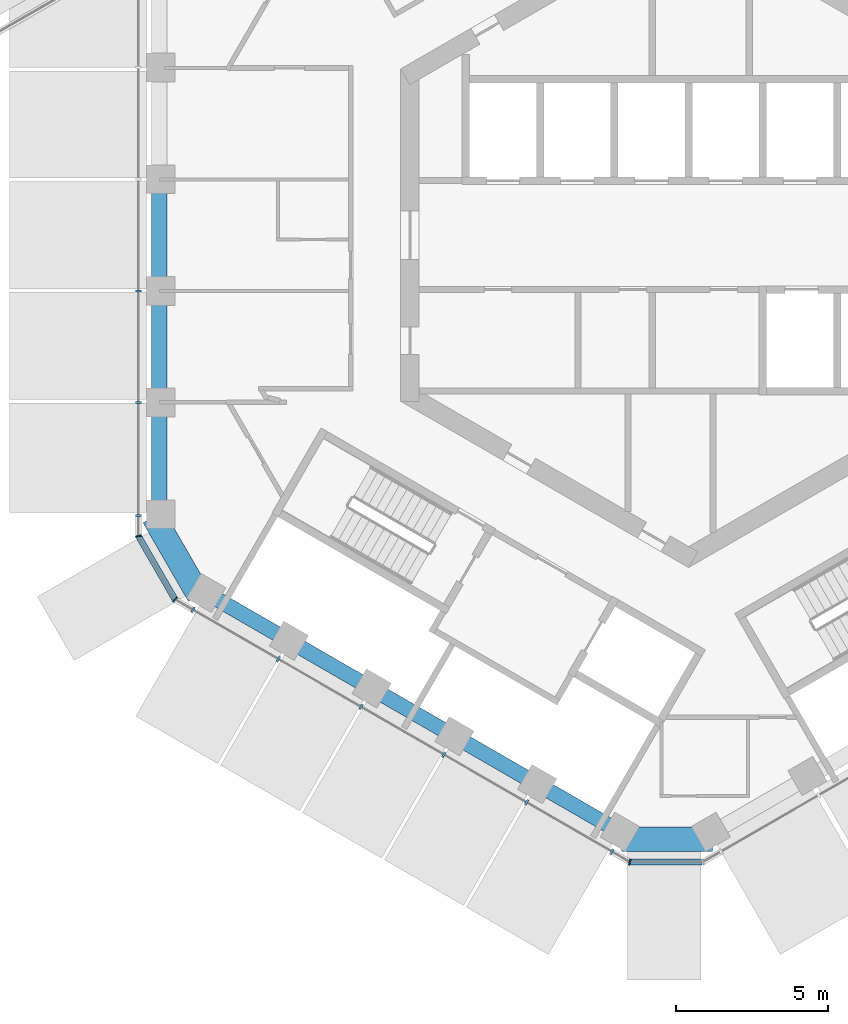
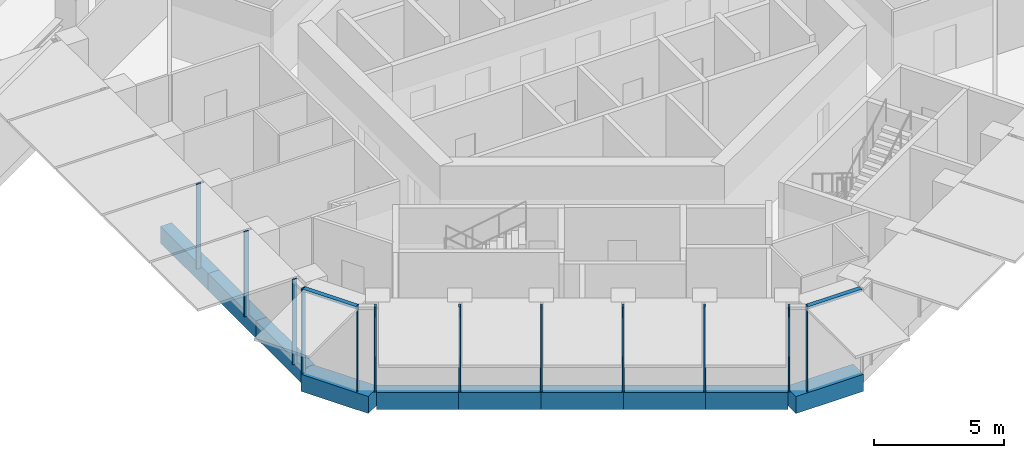
# One storey, part 2 of 27: 14 members, 10 beams, 4 elements without a shape of their own.
"""IFC4 building model written with IfcOpenShell, lengths in metres."""

from ifc_helpers import new_model, si_unit, direction, frame, origin, origin_2d, place, context, subcontext, project, spatial, rectangle, extrude, material, layer, layer_set, material_profile, profile_set, type_object, element, aggregate, save


model = new_model("IFC4")

# Units and contexts
model_context = context("Model", 3, precision=1e-05, world=origin(), true_north=direction((0.0, 1.0)))
body_context = subcontext(model_context, "Body", "Model", "MODEL_VIEW")
ifc_project = project(units=[si_unit("LENGTHUNIT", "METRE"), si_unit("AREAUNIT", "SQUARE_METRE"), si_unit("VOLUMEUNIT", "CUBIC_METRE"), si_unit("PLANEANGLEUNIT", "RADIAN"), si_unit("MASSUNIT", "GRAM", prefix="KILO")], contexts=[model_context])

# Site, building, storey
site_placement = place(None, origin())
site = spatial("IfcSite", under=ifc_project, at=site_placement, CompositionType="ELEMENT")
building_placement = place(site_placement, origin())
building = spatial("IfcBuilding", under=site, at=building_placement, Name="Ayvan Gate Tower", CompositionType="ELEMENT")
storey_placement = place(building_placement, frame((0.0, 0.0, 194.699951171875)))
storey = spatial("IfcBuildingStorey", under=building, at=storey_placement, Name="L52", CompositionType="ELEMENT", Elevation=194.699951171875)

# Beams
ifc_material_1 = material(Name="Concrete C40/50", Category="concrete")
ifc_material_profile_1 = material_profile(ifc_material_1, rectangle(XDim=0.800048828125, YDim=0.800048828125, at=origin_2d()), Name="RC 800x800")
ifc_profile_set_1 = profile_set([ifc_material_profile_1], Name="Concrete C40/50")
beam_type_1 = type_object("IfcBeamType", Name="Corner spandrel beam RC 800x800 C40/50", PredefinedType="BEAM", material=ifc_profile_set_1)
beam_1_placement = place(storey_placement, frame((-17.657958984375, -9.293212890625, -0.800048828125), z_axis=(0.50002537861, -0.866010750942, 0.0), x_axis=(0.866010750942, 0.50002537861, 0.0)))
element("IfcBeam", 1, at=beam_1_placement, inside=storey, type_object=beam_type_1, Name="SB-L52-24", PredefinedType="BEAM", context=body_context, shape_type="SweptSolid", body=[
    extrude(rectangle(XDim=0.800048828125, YDim=0.800048828125, at=origin_2d()), origin(), (0.0, 0.0, 1.0), 2.999755859375),
])
beam_2_placement = place(storey_placement, frame((-2.21923828125, -19.938720703125, -0.800048828125), z_axis=(1.0, 0.0, 0.0), x_axis=(0.0, 1.0, 0.0)))
element("IfcBeam", 2, at=beam_2_placement, inside=storey, type_object=beam_type_1, Name="SB-L52-30", PredefinedType="BEAM", context=body_context, shape_type="SweptSolid", body=[
    extrude(rectangle(XDim=0.800048828125, YDim=0.800048828125, at=origin_2d()), origin(), (0.0, 0.0, 1.0), 3.0),
])
ifc_material_profile_2 = material_profile(ifc_material_1, rectangle(XDim=0.5, YDim=0.800048828125, at=origin_2d()), Name="RC 500x800")
ifc_profile_set_2 = profile_set([ifc_material_profile_2], Name="Concrete C40/50")
beam_type_2 = type_object("IfcBeamType", Name="Spandrel beam RC 500x800 C40/50", PredefinedType="BEAM", material=ifc_profile_set_2)
for number, where, z_axis, x_axis, name in (
    (3, (-17.46728515625, 1.836669921875, -0.800048828125), (0.0, -1.0, 0.0), (1.0, 0.0, 0.0), "SB-L52-21"),
    (4, (-17.46728515625, -1.836669921875, -0.800048828125), (0.0, -1.0, 0.0), (1.0, 0.0, 0.0), "SB-L52-22"),
):
    element("IfcBeam", number, at=place(storey_placement, frame(where, z_axis=z_axis, x_axis=x_axis)), inside=storey, type_object=beam_type_2, Name=name, PredefinedType="BEAM", context=body_context, shape_type="SweptSolid", body=[
        extrude(rectangle(XDim=0.5, YDim=0.800048828125, at=origin_2d()), origin(), (0.0, 0.0, 1.0), 3.67333984375),
    ])
beam_3_placement = place(storey_placement, frame((-17.46728515625, -5.510009765625, -0.800048828125), z_axis=(0.0, -1.0, 0.0), x_axis=(1.0, 0.0, 0.0)))
element("IfcBeam", 5, at=beam_3_placement, inside=storey, type_object=beam_type_2, Name="SB-L52-23", PredefinedType="BEAM", context=body_context, shape_type="SweptSolid", body=[
    extrude(rectangle(XDim=0.5, YDim=0.800048828125, at=origin_2d()), origin(), (0.0, 0.0, 1.0), 3.673095703125),
])
beam_4_placement = place(storey_placement, frame((-15.96728515625, -11.78125, -0.800048828125), z_axis=(0.866029357279, -0.499993152284, 0.0), x_axis=(0.499993152284, 0.866029357279, 0.0)))
element("IfcBeam", 6, at=beam_4_placement, inside=storey, type_object=beam_type_2, Name="SB-L52-25", PredefinedType="BEAM", context=body_context, shape_type="SweptSolid", body=[
    extrude(rectangle(XDim=0.5, YDim=0.800048828125, at=origin_2d()), origin(), (0.0, 0.0, 1.0), 3.1748046875),
])
beam_5_placement = place(storey_placement, frame((-13.2177734375, -13.36865234375, -0.800048828125), z_axis=(0.866015284814, -0.500017526161, 0.0), x_axis=(0.500017526161, 0.866015284814, 0.0)))
element("IfcBeam", 7, at=beam_5_placement, inside=storey, type_object=beam_type_2, Name="SB-L52-26", PredefinedType="BEAM", context=body_context, shape_type="SweptSolid", body=[
    extrude(rectangle(XDim=0.5, YDim=0.800048828125, at=origin_2d()), origin(), (0.0, 0.0, 1.0), 3.17529296875),
])
beam_6_placement = place(storey_placement, frame((-10.468017578125, -14.956298828125, -0.800048828125), z_axis=(0.866029357279, -0.499993152284, 0.0), x_axis=(0.499993152284, 0.866029357279, 0.0)))
element("IfcBeam", 8, at=beam_6_placement, inside=storey, type_object=beam_type_2, Name="SB-L52-27", PredefinedType="BEAM", context=body_context, shape_type="SweptSolid", body=[
    extrude(rectangle(XDim=0.5, YDim=0.800048828125, at=origin_2d()), origin(), (0.0, 0.0, 1.0), 3.1748046875),
])
beam_7_placement = place(storey_placement, frame((-7.718505859375, -16.543701171875, -0.800048828125), z_axis=(0.866015284814, -0.500017526161, 0.0), x_axis=(0.500017526161, 0.866015284814, 0.0)))
element("IfcBeam", 9, at=beam_7_placement, inside=storey, type_object=beam_type_2, Name="SB-L52-28", PredefinedType="BEAM", context=body_context, shape_type="SweptSolid", body=[
    extrude(rectangle(XDim=0.5, YDim=0.800048828125, at=origin_2d()), origin(), (0.0, 0.0, 1.0), 3.17529296875),
])
beam_8_placement = place(storey_placement, frame((-4.96875, -18.13134765625, -0.800048828125), z_axis=(0.866029357279, -0.499993152284, 0.0), x_axis=(0.499993152284, 0.866029357279, 0.0)))
element("IfcBeam", 10, at=beam_8_placement, inside=storey, type_object=beam_type_2, Name="SB-L52-29", PredefinedType="BEAM", context=body_context, shape_type="SweptSolid", body=[
    extrude(rectangle(XDim=0.5, YDim=0.800048828125, at=origin_2d()), origin(), (0.0, 0.0, 1.0), 3.1748046875),
])

# Curtain wall, members
ifc_material_2 = material(Name="Bronze anodised aluminium", Category="aluminium")
ifc_layer_1 = layer(ifc_material_2, 0.199951171875)
ifc_layer_set_1 = layer_set([ifc_layer_1], Name="Bronze anodised aluminium")
curtain_wall_type_1 = type_object("IfcCurtainWallType", Name="Stick curtain wall CW-2", PredefinedType="NOTDEFINED", material=ifc_layer_set_1)
curtain_wall_1_placement = place(storey_placement, origin())
curtain_wall_1 = element("IfcCurtainWall", 11, at=curtain_wall_1_placement, inside=storey, type_object=curtain_wall_type_1, Name="Stick curtain wall CW-2 L52", PredefinedType="NOTDEFINED")
ifc_material_profile_3 = material_profile(ifc_material_2, rectangle(XDim=0.199951171875, YDim=0.070068359375, at=origin_2d()), Name="Stick curtain wall CW-2 mullion 200 x 70")
ifc_profile_set_3 = profile_set([ifc_material_profile_3], Name="Bronze anodised aluminium")
member_type_1 = type_object("IfcMemberType", Name="Stick curtain wall CW-2 mullion 200 x 70", PredefinedType="MULLION", material=ifc_profile_set_3)
member_1_placement = place(storey_placement, frame((-18.1533203125, -1.842529296875, 0.0), z_axis=(0.0, 0.0, 1.0), x_axis=(-1.0, 0.0, 0.0)))
member_1 = element("IfcMember", 12, at=member_1_placement, type_object=member_type_1, Name="CW-2 mullion 4", PredefinedType="MULLION", context=body_context, shape_type="SweptSolid", body=[
    extrude(rectangle(XDim=0.199951171875, YDim=0.070068359375, at=origin_2d()), origin(), (0.0, 0.0, 1.0), 4.0),
])
member_2_placement = place(storey_placement, frame((-18.1533203125, -5.526611328125, 0.0), z_axis=(0.0, 0.0, 1.0), x_axis=(-1.0, 0.0, 0.0)))
member_2 = element("IfcMember", 13, at=member_2_placement, type_object=member_type_1, Name="CW-2 mullion 5", PredefinedType="MULLION", context=body_context, shape_type="SweptSolid", body=[
    extrude(rectangle(XDim=0.199951171875, YDim=0.070068359375, at=origin_2d()), origin(), (0.0, 0.0, 1.0), 4.0),
])
member_3_placement = place(storey_placement, frame((-18.1533203125, -9.248291015625, 0.0), z_axis=(0.0, 0.0, 1.0), x_axis=(-1.0, 0.0, 0.0)))
member_3 = element("IfcMember", 14, at=member_3_placement, type_object=member_type_1, Name="CW-2 mullion 6", PredefinedType="MULLION", context=body_context, shape_type="SweptSolid", body=[
    extrude(rectangle(XDim=0.199951171875, YDim=0.070068359375, at=origin_2d()), origin(), (0.0, 0.0, 1.0), 4.0),
])
aggregate(curtain_wall_1, [member_1, member_2, member_3])

curtain_wall_2_placement = place(storey_placement, origin())
curtain_wall_2 = element("IfcCurtainWall", 15, at=curtain_wall_2_placement, inside=storey, type_object=curtain_wall_type_1, Name="Stick curtain wall CW-2 L52", PredefinedType="NOTDEFINED")
member_4_placement = place(storey_placement, frame((-16.35302734375, -12.366943359375, 0.0), z_axis=(0.0, 0.0, 1.0), x_axis=(-0.5, -0.866025403784, 0.0)))
member_4 = element("IfcMember", 16, at=member_4_placement, type_object=member_type_1, Name="CW-2 mullion 1", PredefinedType="MULLION", context=body_context, shape_type="SweptSolid", body=[
    extrude(rectangle(XDim=0.199951171875, YDim=0.070068359375, at=origin_2d()), origin(), (0.0, 0.0, 1.0), 4.0),
])
member_5_placement = place(storey_placement, frame((-13.538330078125, -13.991943359375, 0.0), z_axis=(0.0, 0.0, 1.0), x_axis=(-0.5, -0.866025403784, 0.0)))
member_5 = element("IfcMember", 17, at=member_5_placement, type_object=member_type_1, Name="CW-2 mullion 2", PredefinedType="MULLION", context=body_context, shape_type="SweptSolid", body=[
    extrude(rectangle(XDim=0.199951171875, YDim=0.070068359375, at=origin_2d()), origin(), (0.0, 0.0, 1.0), 4.0),
])
member_6_placement = place(storey_placement, frame((-10.80859375, -15.56787109375, 0.0), z_axis=(0.0, 0.0, 1.0), x_axis=(-0.5, -0.866025403784, 0.0)))
member_6 = element("IfcMember", 18, at=member_6_placement, type_object=member_type_1, Name="CW-2 mullion 3", PredefinedType="MULLION", context=body_context, shape_type="SweptSolid", body=[
    extrude(rectangle(XDim=0.199951171875, YDim=0.070068359375, at=origin_2d()), origin(), (0.0, 0.0, 1.0), 4.0),
])
member_7_placement = place(storey_placement, frame((-8.078125, -17.14453125, 0.0), z_axis=(0.0, 0.0, 1.0), x_axis=(-0.5, -0.866025403784, 0.0)))
member_7 = element("IfcMember", 19, at=member_7_placement, type_object=member_type_1, Name="CW-2 mullion 4", PredefinedType="MULLION", context=body_context, shape_type="SweptSolid", body=[
    extrude(rectangle(XDim=0.199951171875, YDim=0.070068359375, at=origin_2d()), origin(), (0.0, 0.0, 1.0), 4.0),
])
member_8_placement = place(storey_placement, frame((-5.348388671875, -18.720458984375, 0.0), z_axis=(0.0, 0.0, 1.0), x_axis=(-0.5, -0.866025403784, 0.0)))
member_8 = element("IfcMember", 20, at=member_8_placement, type_object=member_type_1, Name="CW-2 mullion 5", PredefinedType="MULLION", context=body_context, shape_type="SweptSolid", body=[
    extrude(rectangle(XDim=0.199951171875, YDim=0.070068359375, at=origin_2d()), origin(), (0.0, 0.0, 1.0), 4.0),
])
member_9_placement = place(storey_placement, frame((-2.53369140625, -20.345458984375, 0.0), z_axis=(0.0, 0.0, 1.0), x_axis=(-0.5, -0.866025403784, 0.0)))
member_9 = element("IfcMember", 21, at=member_9_placement, type_object=member_type_1, Name="CW-2 mullion 6", PredefinedType="MULLION", context=body_context, shape_type="SweptSolid", body=[
    extrude(rectangle(XDim=0.199951171875, YDim=0.070068359375, at=origin_2d()), origin(), (0.0, 0.0, 1.0), 4.0),
])
aggregate(curtain_wall_2, [member_4, member_5, member_6, member_7, member_8, member_9])

ifc_layer_2 = layer(ifc_material_2, 0.199951171875)
ifc_layer_set_2 = layer_set([ifc_layer_2], Name="Bronze anodised aluminium")
curtain_wall_type_2 = type_object("IfcCurtainWallType", Name="Stick curtain wall CW-6", PredefinedType="NOTDEFINED", material=ifc_layer_set_2)
curtain_wall_3_placement = place(storey_placement, origin())
curtain_wall_3 = element("IfcCurtainWall", 22, at=curtain_wall_3_placement, inside=storey, type_object=curtain_wall_type_2, Name="Stick curtain wall CW-6 L52", PredefinedType="NOTDEFINED")
ifc_material_profile_4 = material_profile(ifc_material_2, rectangle(XDim=0.199951171875, YDim=0.050048828125, at=origin_2d()), Name="Stick curtain wall CW-6 mullion 200 x 50")
ifc_profile_set_4 = profile_set([ifc_material_profile_4], Name="Bronze anodised aluminium")
member_type_2 = type_object("IfcMemberType", Name="Stick curtain wall CW-6 mullion 200 x 50", PredefinedType="MULLION", material=ifc_profile_set_4)
member_10_placement = place(storey_placement, frame((-18.1533203125, -9.933349609375, 0.0), z_axis=(0.0, 0.0, 1.0), x_axis=(-0.965925826289, -0.258819045103, 0.0)))
member_10 = element("IfcMember", 23, at=member_10_placement, type_object=member_type_2, Name="CW-6 mullion 2", PredefinedType="MULLION", context=body_context, shape_type="SweptSolid", body=[
    extrude(rectangle(XDim=0.199951171875, YDim=0.050048828125, at=origin_2d()), origin(), (0.0, 0.0, 1.0), 4.0),
])
member_11_placement = place(storey_placement, frame((-16.946044921875, -12.0244140625, 0.0), z_axis=(0.0, 0.0, 1.0), x_axis=(-0.707106781187, -0.707106781187, 0.0)))
member_11 = element("IfcMember", 24, at=member_11_placement, type_object=member_type_2, Name="CW-6 mullion 3", PredefinedType="MULLION", context=body_context, shape_type="SweptSolid", body=[
    extrude(rectangle(XDim=0.199951171875, YDim=0.050048828125, at=origin_2d()), origin(), (0.0, 0.0, 1.0), 4.0),
])

# Curtain wall, member
curtain_wall_4_placement = place(storey_placement, origin())
curtain_wall_4 = element("IfcCurtainWall", 25, at=curtain_wall_4_placement, inside=storey, type_object=curtain_wall_type_2, Name="Stick curtain wall CW-6 L52", PredefinedType="NOTDEFINED")
member_12_placement = place(storey_placement, frame((-1.9404296875, -20.68798828125, 0.0), z_axis=(0.0, 0.0, 1.0), x_axis=(-0.258819045103, -0.965925826289, 0.0)))
member_12 = element("IfcMember", 26, at=member_12_placement, type_object=member_type_2, Name="CW-6 mullion 2", PredefinedType="MULLION", context=body_context, shape_type="SweptSolid", body=[
    extrude(rectangle(XDim=0.199951171875, YDim=0.050048828125, at=origin_2d()), origin(), (0.0, 0.0, 1.0), 4.0),
])

# Member
ifc_material_profile_5 = material_profile(ifc_material_2, rectangle(XDim=0.199951171875, YDim=0.1201171875, at=origin_2d()), Name="Stick curtain wall CW-6 transom 200 x 120")
ifc_profile_set_5 = profile_set([ifc_material_profile_5], Name="Bronze anodised aluminium")
member_type_3 = type_object("IfcMemberType", Name="Stick curtain wall CW-6 transom 200 x 120", PredefinedType="USERDEFINED", material=ifc_profile_set_5)
member_13_placement = place(storey_placement, frame((-18.140869140625, -9.955078125, 3.93994140625), z_axis=(0.49998166818, -0.866035987407, 0.0), x_axis=(0.866035987407, 0.49998166818, 0.0)))
member_13 = element("IfcMember", 27, at=member_13_placement, type_object=member_type_3, Name="CW-6 transom 2", ObjectType="TRANSOM", PredefinedType="USERDEFINED", context=body_context, shape_type="SweptSolid", body=[
    extrude(rectangle(XDim=0.199951171875, YDim=0.1201171875, at=origin_2d()), origin(), (0.0, 0.0, 1.0), 2.3642578125),
])

aggregate(curtain_wall_3, [member_10, member_11, member_13])

member_14_placement = place(storey_placement, frame((-1.915283203125, -20.68798828125, 3.93994140625), z_axis=(1.0, 0.0, 0.0), x_axis=(0.0, 1.0, 0.0)))
member_14 = element("IfcMember", 28, at=member_14_placement, type_object=member_type_3, Name="CW-6 transom 2", ObjectType="TRANSOM", PredefinedType="USERDEFINED", context=body_context, shape_type="SweptSolid", body=[
    extrude(rectangle(XDim=0.199951171875, YDim=0.1201171875, at=origin_2d()), origin(), (0.0, 0.0, 1.0), 2.364501953125),
])

aggregate(curtain_wall_4, [member_12, member_14])

save(model, "model.ifc")
